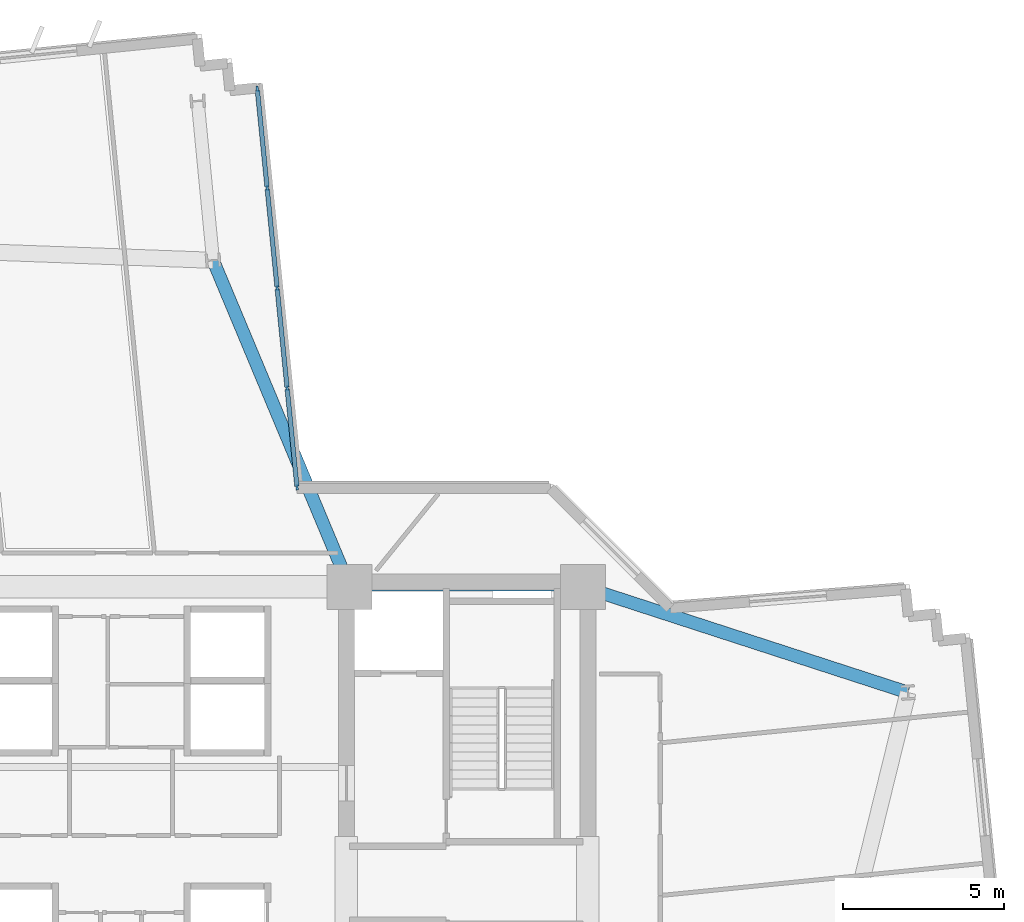
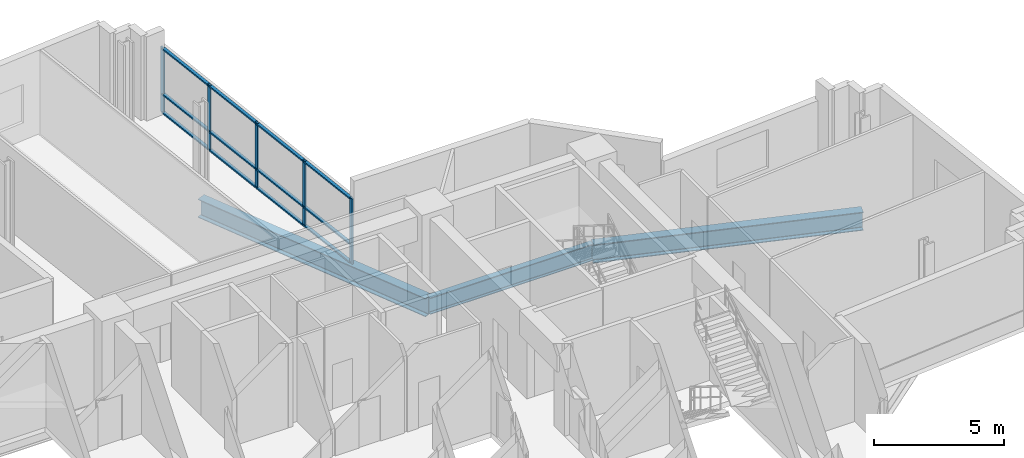
# One storey, part 4 of 14: 17 members, 3 beams, 1 element without a shape of its own.
"""IFC4 building model written with IfcOpenShell, lengths in metres."""

from ifc_helpers import new_model, si_unit, direction, frame, origin, origin_2d, place, context, subcontext, project, spatial, rectangle, i_section, extrude, source, transform, mapped, material, layer, layer_set, material_profile, profile_set, type_object, element, aggregate, save


model = new_model("IFC4")

# Units and contexts
model_context = context("Model", 3, precision=1e-05, world=origin(), true_north=direction((0.0, 1.0)))
body_context = subcontext(model_context, "Body", "Model", "MODEL_VIEW")
ifc_project = project(units=[si_unit("LENGTHUNIT", "METRE"), si_unit("AREAUNIT", "SQUARE_METRE"), si_unit("VOLUMEUNIT", "CUBIC_METRE"), si_unit("PLANEANGLEUNIT", "RADIAN"), si_unit("MASSUNIT", "GRAM", prefix="KILO")], contexts=[model_context])

# Site, building, storey
site_placement = place(None, origin())
site = spatial("IfcSite", under=ifc_project, at=site_placement, CompositionType="ELEMENT")
building_placement = place(site_placement, origin())
building = spatial("IfcBuilding", under=site, at=building_placement, Name="Zahravan Cultural Tower", CompositionType="ELEMENT")
storey_placement = place(building_placement, frame((0.0, 0.0, 96.300048828125)))
storey = spatial("IfcBuildingStorey", under=building, at=storey_placement, Name="L21", CompositionType="ELEMENT", Elevation=96.300048828125)

# Beams
ifc_material_1 = material(Name="Steel ASTM A992 Grade 50", Category="steel")
ifc_material_profile_1 = material_profile(ifc_material_1, i_section(OverallWidth=0.26611328125, OverallDepth=0.780029296875, WebThickness=0.0166015625, FlangeThickness=0.030029296875, FilletRadius=0.01904296875, at=origin_2d()), Name="W30X148")
ifc_profile_set_1 = profile_set([ifc_material_profile_1], Name="Steel ASTM A992 Grade 50")
beam_type_1 = type_object("IfcBeamType", Name="BM-G-W30X148", PredefinedType="BEAM", material=ifc_profile_set_1)
shared_shape_1 = source(origin(), body_context, "Body", "SweptSolid", [
    extrude(i_section(OverallWidth=0.26611328125, OverallDepth=0.780029296875, WebThickness=0.0166015625, FlangeThickness=0.030029296875, FilletRadius=0.01904296875, at=origin_2d()), origin(), (0.0, 0.0, 1.0), 7.25),
])
beam_1_placement = place(storey_placement, frame((43.10009765625, 36.199951171875, -0.64013671875), z_axis=(1.0, 0.0, 0.0), x_axis=(0.0, 1.0, 0.0)))
element("IfcBeam", 1, at=beam_1_placement, inside=storey, type_object=beam_type_1, Name="L21 Beam BG-L21-05", PredefinedType="BEAM", context=body_context, shape_type="MappedRepresentation", body=[
    mapped(shared_shape_1, transform((0.0, 0.0, 0.0), x_axis=(1.0, 0.0, 0.0), y_axis=(0.0, 1.0, 0.0), z_axis=(0.0, 0.0, 1.0), scale=1.0)),
])
ifc_material_profile_2 = material_profile(ifc_material_1, i_section(OverallWidth=0.39990234375, OverallDepth=0.862060546875, WebThickness=0.019775390625, FlangeThickness=0.032470703125, FilletRadius=0.02001953125, at=origin_2d()), Name="W33X221")
ifc_profile_set_2 = profile_set([ifc_material_profile_2], Name="Steel ASTM A992 Grade 50")
beam_type_2 = type_object("IfcBeamType", Name="BM-G-W33X221", PredefinedType="BEAM", material=ifc_profile_set_2)
shared_shape_2 = source(origin(), body_context, "Body", "SweptSolid", [
    extrude(i_section(OverallWidth=0.39990234375, OverallDepth=0.862060546875, WebThickness=0.019775390625, FlangeThickness=0.032470703125, FilletRadius=0.02001953125, at=origin_2d()), origin(), (0.0, 0.0, 1.0), 10.615966796875),
])
beam_2_placement = place(storey_placement, frame((50.35009765625, 36.199951171875, -0.68115234375), z_axis=(0.951063640083, -0.30899506875, 0.0), x_axis=(0.30899506875, 0.951063640083, 0.0)))
element("IfcBeam", 2, at=beam_2_placement, inside=storey, type_object=beam_type_2, Name="L21 Beam BG-L21-11", PredefinedType="BEAM", context=body_context, shape_type="MappedRepresentation", body=[
    mapped(shared_shape_2, transform((0.0, 0.0, 0.0), x_axis=(1.0, 0.0, 0.0), y_axis=(0.0, 1.0, 0.0), z_axis=(0.0, 0.0, 1.0), scale=1.0)),
])
shared_shape_3 = source(origin(), body_context, "Body", "SweptSolid", [
    extrude(i_section(OverallWidth=0.39990234375, OverallDepth=0.862060546875, WebThickness=0.019775390625, FlangeThickness=0.032470703125, FilletRadius=0.02001953125, at=origin_2d()), origin(), (0.0, 0.0, 1.0), 10.997802734375),
])
beam_3_placement = place(storey_placement, frame((43.10009765625, 36.199951171875, -0.68115234375), z_axis=(-0.385775211449, 0.922592806297, 0.0), x_axis=(-0.922592806297, -0.385775211449, 0.0)))
element("IfcBeam", 3, at=beam_3_placement, inside=storey, type_object=beam_type_2, Name="L21 Beam BG-L21-12", PredefinedType="BEAM", context=body_context, shape_type="MappedRepresentation", body=[
    mapped(shared_shape_3, transform((0.0, 0.0, 0.0), x_axis=(1.0, 0.0, 0.0), y_axis=(0.0, 1.0, 0.0), z_axis=(0.0, 0.0, 1.0), scale=1.0)),
])

# Curtain wall, members
ifc_material_2 = material(Name="Anodised bronze-aluminium mullion", Category="aluminium")
ifc_layer = layer(ifc_material_2, 0.179931640625)
ifc_layer_set = layer_set([ifc_layer], Name="Anodised bronze-aluminium mullion")
curtain_wall_type = type_object("IfcCurtainWallType", Name="CW-SYS-3", PredefinedType="USERDEFINED", material=ifc_layer_set)
curtain_wall_placement = place(storey_placement, origin())
curtain_wall = element("IfcCurtainWall", 4, at=curtain_wall_placement, inside=storey, type_object=curtain_wall_type, Name="L21 Recessed Curtain Wall CW-3.1", ObjectType="RECESSED GLAZING", PredefinedType="USERDEFINED")
ifc_material_profile_3 = material_profile(ifc_material_2, rectangle(XDim=0.070068359375, YDim=0.179931640625, at=origin_2d()), Name="AL-M70X180")
ifc_profile_set_3 = profile_set([ifc_material_profile_3], Name="Anodised bronze-aluminium mullion")
member_type_1 = type_object("IfcMemberType", Name="CWM-CW-3", PredefinedType="MULLION", material=ifc_profile_set_3)
shared_shape_4 = source(origin(), body_context, "Body", "SweptSolid", [
    extrude(rectangle(XDim=0.070068359375, YDim=0.179931640625, at=origin_2d()), origin(), (0.0, 0.0, 1.0), 3.070068359375),
])
member_1_placement = place(storey_placement, frame((40.23095703125, 51.667236328125, 0.0), z_axis=(0.0, 0.0, 1.0), x_axis=(0.99505538579, 0.099321594883, 0.0)))
member_1 = element("IfcMember", 5, at=member_1_placement, type_object=member_type_1, Name="CW-3 mullion 1", PredefinedType="MULLION", context=body_context, shape_type="MappedRepresentation", body=[
    mapped(shared_shape_4, transform((0.0, 0.0, 0.0), x_axis=(1.0, 0.0, 0.0), y_axis=(0.0, 1.0, 0.0), z_axis=(0.0, 0.0, 1.0), scale=1.0)),
])
member_2_placement = place(storey_placement, frame((40.5380859375, 48.591552734375, 0.0), z_axis=(0.0, 0.0, 1.0), x_axis=(0.99505538579, 0.099321594883, 0.0)))
member_2 = element("IfcMember", 6, at=member_2_placement, type_object=member_type_1, Name="CW-3 mullion 2", PredefinedType="MULLION", context=body_context, shape_type="MappedRepresentation", body=[
    mapped(shared_shape_4, transform((0.0, 0.0, 0.0), x_axis=(1.0, 0.0, 0.0), y_axis=(0.0, 1.0, 0.0), z_axis=(0.0, 0.0, 1.0), scale=1.0)),
])
member_3_placement = place(storey_placement, frame((40.848388671875, 45.48095703125, 0.0), z_axis=(0.0, 0.0, 1.0), x_axis=(0.99505538579, 0.099321594883, 0.0)))
member_3 = element("IfcMember", 7, at=member_3_placement, type_object=member_type_1, Name="CW-3 mullion 3", PredefinedType="MULLION", context=body_context, shape_type="MappedRepresentation", body=[
    mapped(shared_shape_4, transform((0.0, 0.0, 0.0), x_axis=(1.0, 0.0, 0.0), y_axis=(0.0, 1.0, 0.0), z_axis=(0.0, 0.0, 1.0), scale=1.0)),
])
member_4_placement = place(storey_placement, frame((41.158935546875, 42.37060546875, 0.0), z_axis=(0.0, 0.0, 1.0), x_axis=(0.99505538579, 0.099321594883, 0.0)))
member_4 = element("IfcMember", 8, at=member_4_placement, type_object=member_type_1, Name="CW-3 mullion 4", PredefinedType="MULLION", context=body_context, shape_type="MappedRepresentation", body=[
    mapped(shared_shape_4, transform((0.0, 0.0, 0.0), x_axis=(1.0, 0.0, 0.0), y_axis=(0.0, 1.0, 0.0), z_axis=(0.0, 0.0, 1.0), scale=1.0)),
])
member_5_placement = place(storey_placement, frame((41.4658203125, 39.294921875, 0.0), z_axis=(0.0, 0.0, 1.0), x_axis=(0.99505538579, 0.099321594883, 0.0)))
member_5 = element("IfcMember", 9, at=member_5_placement, type_object=member_type_1, Name="CW-3 mullion 5", PredefinedType="MULLION", context=body_context, shape_type="MappedRepresentation", body=[
    mapped(shared_shape_4, transform((0.0, 0.0, 0.0), x_axis=(1.0, 0.0, 0.0), y_axis=(0.0, 1.0, 0.0), z_axis=(0.0, 0.0, 1.0), scale=1.0)),
])
ifc_material_profile_4 = material_profile(ifc_material_2, rectangle(XDim=0.139892578125, YDim=0.070068359375, at=origin_2d()), Name="AL-T70X140")
ifc_profile_set_4 = profile_set([ifc_material_profile_4], Name="Anodised bronze-aluminium mullion")
member_type_2 = type_object("IfcMemberType", Name="CWT-CW-3", PredefinedType="USERDEFINED", material=ifc_profile_set_4)
shared_shape_5 = source(origin(), body_context, "Body", "SweptSolid", [
    extrude(rectangle(XDim=0.139892578125, YDim=0.070068359375, at=origin_2d()), origin(), (0.0, 0.0, 1.0), 3.02099609375),
])
member_6_placement = place(storey_placement, frame((40.234375, 51.63232421875, 0.034912109375), z_axis=(0.099319686771, -0.995055576247, 0.0), x_axis=(0.995055576247, 0.099319686771, 0.0)))
member_6 = element("IfcMember", 10, at=member_6_placement, type_object=member_type_2, Name="CW-3 transom 1.1", ObjectType="TRANSOM", PredefinedType="USERDEFINED", context=body_context, shape_type="MappedRepresentation", body=[
    mapped(shared_shape_5, transform((0.0, 0.0, 0.0), x_axis=(1.0, 0.0, 0.0), y_axis=(0.0, 1.0, 0.0), z_axis=(0.0, 0.0, 1.0), scale=1.0)),
])
member_7_placement = place(storey_placement, frame((40.234375, 51.63232421875, 0.89990234375), z_axis=(0.099319686771, -0.995055576247, 0.0), x_axis=(0.995055576247, 0.099319686771, 0.0)))
member_7 = element("IfcMember", 11, at=member_7_placement, type_object=member_type_2, Name="CW-3 transom 1.2", ObjectType="TRANSOM", PredefinedType="USERDEFINED", context=body_context, shape_type="MappedRepresentation", body=[
    mapped(shared_shape_5, transform((0.0, 0.0, 0.0), x_axis=(1.0, 0.0, 0.0), y_axis=(0.0, 1.0, 0.0), z_axis=(0.0, 0.0, 1.0), scale=1.0)),
])
member_8_placement = place(storey_placement, frame((40.234375, 51.63232421875, 3.034912109375), z_axis=(0.099319686771, -0.995055576247, 0.0), x_axis=(0.995055576247, 0.099319686771, 0.0)))
member_8 = element("IfcMember", 12, at=member_8_placement, type_object=member_type_2, Name="CW-3 transom 1.3", ObjectType="TRANSOM", PredefinedType="USERDEFINED", context=body_context, shape_type="MappedRepresentation", body=[
    mapped(shared_shape_5, transform((0.0, 0.0, 0.0), x_axis=(1.0, 0.0, 0.0), y_axis=(0.0, 1.0, 0.0), z_axis=(0.0, 0.0, 1.0), scale=1.0)),
])
member_9_placement = place(storey_placement, frame((41.162353515625, 42.335693359375, 0.034912109375), z_axis=(0.099319686771, -0.995055576247, 0.0), x_axis=(0.995055576247, 0.099319686771, 0.0)))
member_9 = element("IfcMember", 13, at=member_9_placement, type_object=member_type_2, Name="CW-3 transom 4.1", ObjectType="TRANSOM", PredefinedType="USERDEFINED", context=body_context, shape_type="MappedRepresentation", body=[
    mapped(shared_shape_5, transform((0.0, 0.0, 0.0), x_axis=(1.0, 0.0, 0.0), y_axis=(0.0, 1.0, 0.0), z_axis=(0.0, 0.0, 1.0), scale=1.0)),
])
member_10_placement = place(storey_placement, frame((41.162353515625, 42.335693359375, 0.89990234375), z_axis=(0.099319686771, -0.995055576247, 0.0), x_axis=(0.995055576247, 0.099319686771, 0.0)))
member_10 = element("IfcMember", 14, at=member_10_placement, type_object=member_type_2, Name="CW-3 transom 4.2", ObjectType="TRANSOM", PredefinedType="USERDEFINED", context=body_context, shape_type="MappedRepresentation", body=[
    mapped(shared_shape_5, transform((0.0, 0.0, 0.0), x_axis=(1.0, 0.0, 0.0), y_axis=(0.0, 1.0, 0.0), z_axis=(0.0, 0.0, 1.0), scale=1.0)),
])
member_11_placement = place(storey_placement, frame((41.162353515625, 42.335693359375, 3.034912109375), z_axis=(0.099319686771, -0.995055576247, 0.0), x_axis=(0.995055576247, 0.099319686771, 0.0)))
member_11 = element("IfcMember", 15, at=member_11_placement, type_object=member_type_2, Name="CW-3 transom 4.3", ObjectType="TRANSOM", PredefinedType="USERDEFINED", context=body_context, shape_type="MappedRepresentation", body=[
    mapped(shared_shape_5, transform((0.0, 0.0, 0.0), x_axis=(1.0, 0.0, 0.0), y_axis=(0.0, 1.0, 0.0), z_axis=(0.0, 0.0, 1.0), scale=1.0)),
])
shared_shape_6 = source(origin(), body_context, "Body", "SweptSolid", [
    extrude(rectangle(XDim=0.139892578125, YDim=0.070068359375, at=origin_2d()), origin(), (0.0, 0.0, 1.0), 3.055908203125),
])
member_12_placement = place(storey_placement, frame((40.54150390625, 48.556640625, 0.034912109375), z_axis=(0.099305964166, -0.995056945848, 0.0), x_axis=(0.995056945848, 0.099305964166, 0.0)))
member_12 = element("IfcMember", 16, at=member_12_placement, type_object=member_type_2, Name="CW-3 transom 2.1", ObjectType="TRANSOM", PredefinedType="USERDEFINED", context=body_context, shape_type="MappedRepresentation", body=[
    mapped(shared_shape_6, transform((0.0, 0.0, 0.0), x_axis=(1.0, 0.0, 0.0), y_axis=(0.0, 1.0, 0.0), z_axis=(0.0, 0.0, 1.0), scale=1.0)),
])
member_13_placement = place(storey_placement, frame((40.54150390625, 48.556640625, 0.89990234375), z_axis=(0.099305964166, -0.995056945848, 0.0), x_axis=(0.995056945848, 0.099305964166, 0.0)))
member_13 = element("IfcMember", 17, at=member_13_placement, type_object=member_type_2, Name="CW-3 transom 2.2", ObjectType="TRANSOM", PredefinedType="USERDEFINED", context=body_context, shape_type="MappedRepresentation", body=[
    mapped(shared_shape_6, transform((0.0, 0.0, 0.0), x_axis=(1.0, 0.0, 0.0), y_axis=(0.0, 1.0, 0.0), z_axis=(0.0, 0.0, 1.0), scale=1.0)),
])
member_14_placement = place(storey_placement, frame((40.54150390625, 48.556640625, 3.034912109375), z_axis=(0.099305964166, -0.995056945848, 0.0), x_axis=(0.995056945848, 0.099305964166, 0.0)))
member_14 = element("IfcMember", 18, at=member_14_placement, type_object=member_type_2, Name="CW-3 transom 2.3", ObjectType="TRANSOM", PredefinedType="USERDEFINED", context=body_context, shape_type="MappedRepresentation", body=[
    mapped(shared_shape_6, transform((0.0, 0.0, 0.0), x_axis=(1.0, 0.0, 0.0), y_axis=(0.0, 1.0, 0.0), z_axis=(0.0, 0.0, 1.0), scale=1.0)),
])
shared_shape_7 = source(origin(), body_context, "Body", "SweptSolid", [
    extrude(rectangle(XDim=0.139892578125, YDim=0.070068359375, at=origin_2d()), origin(), (0.0, 0.0, 1.0), 3.05615234375),
])
member_15_placement = place(storey_placement, frame((40.851806640625, 45.4462890625, 0.034912109375), z_axis=(0.099377167432, -0.995049837241, 0.0), x_axis=(0.995049837241, 0.099377167432, 0.0)))
member_15 = element("IfcMember", 19, at=member_15_placement, type_object=member_type_2, Name="CW-3 transom 3.1", ObjectType="TRANSOM", PredefinedType="USERDEFINED", context=body_context, shape_type="MappedRepresentation", body=[
    mapped(shared_shape_7, transform((0.0, 0.0, 0.0), x_axis=(1.0, 0.0, 0.0), y_axis=(0.0, 1.0, 0.0), z_axis=(0.0, 0.0, 1.0), scale=1.0)),
])
member_16_placement = place(storey_placement, frame((40.851806640625, 45.4462890625, 0.89990234375), z_axis=(0.099377167432, -0.995049837241, 0.0), x_axis=(0.995049837241, 0.099377167432, 0.0)))
member_16 = element("IfcMember", 20, at=member_16_placement, type_object=member_type_2, Name="CW-3 transom 3.2", ObjectType="TRANSOM", PredefinedType="USERDEFINED", context=body_context, shape_type="MappedRepresentation", body=[
    mapped(shared_shape_7, transform((0.0, 0.0, 0.0), x_axis=(1.0, 0.0, 0.0), y_axis=(0.0, 1.0, 0.0), z_axis=(0.0, 0.0, 1.0), scale=1.0)),
])
member_17_placement = place(storey_placement, frame((40.851806640625, 45.4462890625, 3.034912109375), z_axis=(0.099377167432, -0.995049837241, 0.0), x_axis=(0.995049837241, 0.099377167432, 0.0)))
member_17 = element("IfcMember", 21, at=member_17_placement, type_object=member_type_2, Name="CW-3 transom 3.3", ObjectType="TRANSOM", PredefinedType="USERDEFINED", context=body_context, shape_type="MappedRepresentation", body=[
    mapped(shared_shape_7, transform((0.0, 0.0, 0.0), x_axis=(1.0, 0.0, 0.0), y_axis=(0.0, 1.0, 0.0), z_axis=(0.0, 0.0, 1.0), scale=1.0)),
])
aggregate(curtain_wall, [member_1, member_2, member_3, member_4, member_5, member_6, member_7, member_8, member_12, member_13, member_14, member_15, member_16, member_17, member_9, member_10, member_11])

save(model, "model.ifc")
